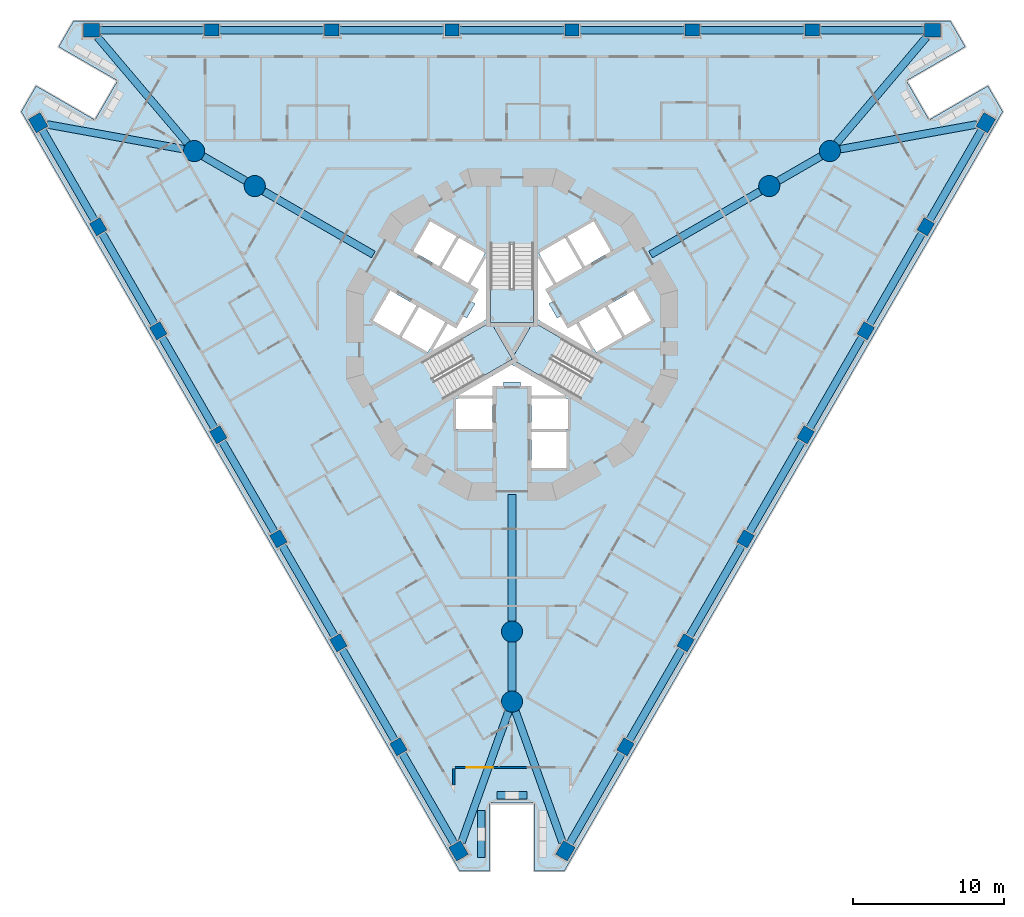
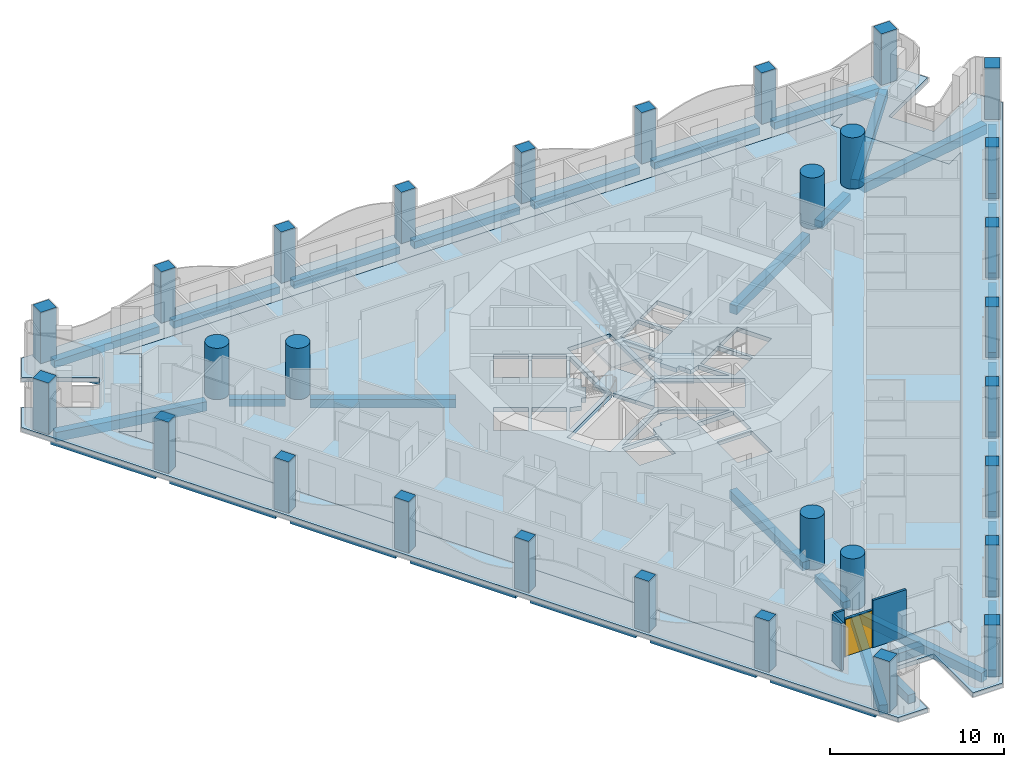
# One storey, part 1 of 20: 33 beams, 30 columns, 6 slabs, 6 walls, 1 door, 1 opening, 3 elements without a shape of their own.
"""IFC4 building model written with IfcOpenShell, lengths in metres."""

from ifc_helpers import new_model, si_unit, direction, frame, frame_2d, origin, origin_2d, place, context, subcontext, project, spatial, polyline, rectangle, circle, outline, extrude, material, layer, layer_set, material_profile, profile_set, type_object, element, fill, aggregate, save


model = new_model("IFC4")

# Units and contexts
model_context = context("Model", 3, precision=1e-05, world=origin(), true_north=direction((0.0, 1.0)))
body_context = subcontext(model_context, "Body", "Model", "MODEL_VIEW")
ifc_project = project(units=[si_unit("LENGTHUNIT", "METRE"), si_unit("AREAUNIT", "SQUARE_METRE"), si_unit("VOLUMEUNIT", "CUBIC_METRE"), si_unit("PLANEANGLEUNIT", "RADIAN"), si_unit("MASSUNIT", "GRAM", prefix="KILO")], contexts=[model_context])

# Site, building, storey
site_placement = place(None, origin())
site = spatial("IfcSite", under=ifc_project, at=site_placement, CompositionType="ELEMENT")
building_placement = place(site_placement, origin())
building = spatial("IfcBuilding", under=site, at=building_placement, Name="Trine Commons Tower", CompositionType="ELEMENT")
storey_placement = place(building_placement, frame((0.0, 0.0, 38.699951171875)))
storey = spatial("IfcBuildingStorey", under=building, at=storey_placement, Name="L08", CompositionType="ELEMENT", Elevation=38.699951171875)

# Columns
ifc_material_1 = material(Name="Concrete C80/95", Category="concrete")
ifc_material_profile_1 = material_profile(ifc_material_1, rectangle(XDim=1.050048828125, YDim=0.89990234375, at=origin_2d()), Name="RC 1050x900")
ifc_profile_set_1 = profile_set([ifc_material_profile_1], Name="Concrete C80/95")
column_type_1 = type_object("IfcColumnType", Name="RC column 1050x900, C80/95", PredefinedType="COLUMN", material=ifc_profile_set_1)
for number, where, z_axis, x_axis, name in (
    (1, (76.45556640625, 28.27001953125, 0.0), (0.0, 0.0, 1.0), (-0.5, 0.866025403784, 0.0), "Column PC1-01 L08"),
    (2, (48.583740234375, 76.54541015625, 0.0), (0.0, 0.0, 1.0), (-0.5, 0.866025403784, 0.0), "Column PC1-08 L08"),
    (3, (52.128173828125, 82.6845703125, 0.0), (0.0, 0.0, 1.0), (1.0, 0.0, 0.0), "Column PC1-09 L08"),
    (4, (107.871826171875, 82.6845703125, 0.0), (0.0, 0.0, 1.0), (1.0, 0.0, 0.0), "Column PC1-16 L08"),
    (5, (111.416259765625, 76.54541015625, 0.0), (0.0, 0.0, 1.0), (0.5, 0.866025403784, 0.0), "Column PC1-17 L08"),
    (6, (83.54443359375, 28.27001953125, 0.0), (0.0, 0.0, 1.0), (0.5, 0.866025403784, 0.0), "Column PC1-24 L08"),
):
    element("IfcColumn", number, at=place(storey_placement, frame(where, z_axis=z_axis, x_axis=x_axis)), inside=storey, type_object=column_type_1, Name=name, PredefinedType="COLUMN", context=body_context, shape_type="SweptSolid", body=[
        extrude(rectangle(XDim=1.050048828125, YDim=0.89990234375, at=origin_2d()), origin(), (0.0, 0.0, 1.0), 3.60009765625),
    ])
ifc_material_profile_2 = material_profile(ifc_material_1, rectangle(XDim=0.949951171875, YDim=0.800048828125, at=origin_2d()), Name="RC 950x800")
ifc_profile_set_2 = profile_set([ifc_material_profile_2], Name="Concrete C80/95")
column_type_2 = type_object("IfcColumnType", Name="RC column 950x800, C80/95", PredefinedType="COLUMN", material=ifc_profile_set_2)
for number, where, z_axis, x_axis, name in (
    (7, (72.473876953125, 35.16650390625, 0.0), (0.0, 0.0, 1.0), (-0.5, 0.866025403784, 0.0), "Column PC1-02 L08"),
    (8, (68.4921875, 42.06298828125, 0.0), (0.0, 0.0, 1.0), (-0.5, 0.866025403784, 0.0), "Column PC1-03 L08"),
    (9, (64.510498046875, 48.95947265625, 0.0), (0.0, 0.0, 1.0), (-0.5, 0.866025403784, 0.0), "Column PC1-04 L08"),
    (10, (60.52880859375, 55.85595703125, 0.0), (0.0, 0.0, 1.0), (-0.5, 0.866025403784, 0.0), "Column PC1-05 L08"),
    (11, (56.547119140625, 62.75244140625, 0.0), (0.0, 0.0, 1.0), (-0.5, 0.866025403784, 0.0), "Column PC1-06 L08"),
    (12, (52.5654296875, 69.64892578125, 0.0), (0.0, 0.0, 1.0), (-0.5, 0.866025403784, 0.0), "Column PC1-07 L08"),
    (13, (60.091552734375, 82.6845703125, 0.0), (0.0, 0.0, 1.0), (1.0, 0.0, 0.0), "Column PC1-10 L08"),
    (14, (68.054931640625, 82.6845703125, 0.0), (0.0, 0.0, 1.0), (1.0, 0.0, 0.0), "Column PC1-11 L08"),
    (15, (76.018310546875, 82.6845703125, 0.0), (0.0, 0.0, 1.0), (1.0, 0.0, 0.0), "Column PC1-12 L08"),
    (16, (83.981689453125, 82.6845703125, 0.0), (0.0, 0.0, 1.0), (1.0, 0.0, 0.0), "Column PC1-13 L08"),
    (17, (91.945068359375, 82.6845703125, 0.0), (0.0, 0.0, 1.0), (1.0, 0.0, 0.0), "Column PC1-14 L08"),
    (18, (99.908447265625, 82.6845703125, 0.0), (0.0, 0.0, 1.0), (1.0, 0.0, 0.0), "Column PC1-15 L08"),
    (19, (107.4345703125, 69.64892578125, 0.0), (0.0, 0.0, 1.0), (0.5, 0.866025403784, 0.0), "Column PC1-18 L08"),
    (20, (103.452880859375, 62.75244140625, 0.0), (0.0, 0.0, 1.0), (0.5, 0.866025403784, 0.0), "Column PC1-19 L08"),
    (21, (99.47119140625, 55.85595703125, 0.0), (0.0, 0.0, 1.0), (0.5, 0.866025403784, 0.0), "Column PC1-20 L08"),
    (22, (95.489501953125, 48.95947265625, 0.0), (0.0, 0.0, 1.0), (0.5, 0.866025403784, 0.0), "Column PC1-21 L08"),
    (23, (91.5078125, 42.06298828125, 0.0), (0.0, 0.0, 1.0), (0.5, 0.866025403784, 0.0), "Column PC1-22 L08"),
    (24, (87.526123046875, 35.16650390625, 0.0), (0.0, 0.0, 1.0), (0.5, 0.866025403784, 0.0), "Column PC1-23 L08"),
):
    element("IfcColumn", number, at=place(storey_placement, frame(where, z_axis=z_axis, x_axis=x_axis)), inside=storey, type_object=column_type_2, Name=name, PredefinedType="COLUMN", context=body_context, shape_type="SweptSolid", body=[
        extrude(rectangle(XDim=0.949951171875, YDim=0.800048828125, at=origin_2d()), origin(), (0.0, 0.0, 1.0), 3.60009765625),
    ])
ifc_material_profile_3 = material_profile(ifc_material_1, circle(Radius=0.699951171875, at=origin_2d()), Name="RC round 1400")
ifc_profile_set_3 = profile_set([ifc_material_profile_3], Name="Concrete C80/95")
column_type_3 = type_object("IfcColumnType", Name="RC round column 1400 mm, C80/95", PredefinedType="COLUMN", material=ifc_profile_set_3)
for number, where, z_axis, x_axis, name in (
    (25, (80.0, 42.802978515625, 0.0), (0.0, 0.0, 1.0), (1.0, 0.0, 0.0), "Column WC1-1 L08"),
    (26, (80.0, 38.162109375, 0.0), (0.0, 0.0, 1.0), (1.0, 0.0, 0.0), "Column WC1-2 L08"),
    (27, (97.05810546875, 72.348388671875, 0.0), (0.0, 0.0, 1.0), (1.0, 0.0, 0.0), "Column WC1-3 L08"),
    (28, (101.0771484375, 74.6689453125, 0.0), (0.0, 0.0, 1.0), (1.0, 0.0, 0.0), "Column WC1-4 L08"),
    (29, (62.94189453125, 72.348388671875, 0.0), (0.0, 0.0, 1.0), (1.0, 0.0, 0.0), "Column WC1-5 L08"),
    (30, (58.9228515625, 74.6689453125, 0.0), (0.0, 0.0, 1.0), (1.0, 0.0, 0.0), "Column WC1-6 L08"),
):
    element("IfcColumn", number, at=place(storey_placement, frame(where, z_axis=z_axis, x_axis=x_axis)), inside=storey, type_object=column_type_3, Name=name, PredefinedType="COLUMN", context=body_context, shape_type="SweptSolid", body=[
        extrude(circle(Radius=0.699951171875, at=origin_2d()), origin(), (0.0, 0.0, 1.0), 3.60009765625),
    ])

# Beams
ifc_material_2 = material(Name="Concrete C50/60", Category="concrete")
ifc_material_profile_4 = material_profile(ifc_material_2, rectangle(XDim=0.5, YDim=0.5, at=origin_2d()), Name="RC 500x500")
ifc_profile_set_4 = profile_set([ifc_material_profile_4], Name="Concrete C50/60")
beam_type_1 = type_object("IfcBeamType", Name="RC beam 500x500, C50/60", PredefinedType="BEAM", material=ifc_profile_set_4)
beam_1_placement = place(storey_placement, frame((76.193115234375, 28.724609375, -0.550048828125), z_axis=(-0.500022902661, 0.866012180523, 0.0), x_axis=(-0.866012180523, -0.500022902661, 0.0)))
element("IfcBeam", 31, at=beam_1_placement, inside=storey, type_object=beam_type_1, Name="Beam EB1-01 L08", PredefinedType="BEAM", context=body_context, shape_type="SweptSolid", body=[
    extrude(rectangle(XDim=0.5, YDim=0.5, at=origin_2d()), origin(), (0.0, 0.0, 1.0), 6.963623046875),
])
beam_2_placement = place(storey_placement, frame((72.236328125, 35.577880859375, -0.550048828125), z_axis=(-0.500017753321, 0.866015153657, 0.0), x_axis=(-0.866015153657, -0.500017753321, 0.0)))
element("IfcBeam", 32, at=beam_2_placement, inside=storey, type_object=beam_type_1, Name="Beam EB1-02 L08", PredefinedType="BEAM", context=body_context, shape_type="SweptSolid", body=[
    extrude(rectangle(XDim=0.5, YDim=0.5, at=origin_2d()), origin(), (0.0, 0.0, 1.0), 7.013427734375),
])
for number, where, z_axis, x_axis, name in (
    (33, (68.254638671875, 42.474365234375, -0.550048828125), (-0.499991645397, 0.866030227263, 0.0), (-0.866030227263, -0.499991645397, 0.0), "Beam EB1-03 L08"),
    (34, (64.27294921875, 49.370849609375, -0.550048828125), (-0.499991645397, 0.866030227263, 0.0), (-0.866030227263, -0.499991645397, 0.0), "Beam EB1-04 L08"),
    (35, (60.291259765625, 56.267333984375, -0.550048828125), (-0.499991645397, 0.866030227263, 0.0), (-0.866030227263, -0.499991645397, 0.0), "Beam EB1-05 L08"),
    (36, (56.3095703125, 63.163818359375, -0.550048828125), (-0.499991645397, 0.866030227263, 0.0), (-0.866030227263, -0.499991645397, 0.0), "Beam EB1-06 L08"),
):
    element("IfcBeam", number, at=place(storey_placement, frame(where, z_axis=z_axis, x_axis=x_axis)), inside=storey, type_object=beam_type_1, Name=name, PredefinedType="BEAM", context=body_context, shape_type="SweptSolid", body=[
        extrude(rectangle(XDim=0.5, YDim=0.5, at=origin_2d()), origin(), (0.0, 0.0, 1.0), 7.01318359375),
    ])
for number, where, z_axis, x_axis, name in (
    (37, (52.327880859375, 70.060302734375, -0.550048828125), (-0.49999660792, 0.866027362194, 0.0), (-0.866027362194, -0.49999660792, 0.0), "Beam EB1-07 L08"),
    (38, (52.6533203125, 82.6845703125, -0.550048828125), (1.0, 0.0, 0.0), (0.0, 1.0, 0.0), "Beam EB1-08 L08"),
):
    element("IfcBeam", number, at=place(storey_placement, frame(where, z_axis=z_axis, x_axis=x_axis)), inside=storey, type_object=beam_type_1, Name=name, PredefinedType="BEAM", context=body_context, shape_type="SweptSolid", body=[
        extrude(rectangle(XDim=0.5, YDim=0.5, at=origin_2d()), origin(), (0.0, 0.0, 1.0), 6.96337890625),
    ])
beam_3_placement = place(storey_placement, frame((60.566650390625, 82.6845703125, -0.550048828125), z_axis=(1.0, 0.0, 0.0), x_axis=(0.0, 1.0, 0.0)))
element("IfcBeam", 39, at=beam_3_placement, inside=storey, type_object=beam_type_1, Name="Beam EB1-09 L08", PredefinedType="BEAM", context=body_context, shape_type="SweptSolid", body=[
    extrude(rectangle(XDim=0.5, YDim=0.5, at=origin_2d()), origin(), (0.0, 0.0, 1.0), 7.01318359375),
])
beam_4_placement = place(storey_placement, frame((68.52978515625, 82.6845703125, -0.550048828125), z_axis=(1.0, 0.0, 0.0), x_axis=(0.0, 1.0, 0.0)))
element("IfcBeam", 40, at=beam_4_placement, inside=storey, type_object=beam_type_1, Name="Beam EB1-10 L08", PredefinedType="BEAM", context=body_context, shape_type="SweptSolid", body=[
    extrude(rectangle(XDim=0.5, YDim=0.5, at=origin_2d()), origin(), (0.0, 0.0, 1.0), 7.013427734375),
])
beam_5_placement = place(storey_placement, frame((76.493408203125, 82.6845703125, -0.550048828125), z_axis=(1.0, 0.0, 0.0), x_axis=(0.0, 1.0, 0.0)))
element("IfcBeam", 41, at=beam_5_placement, inside=storey, type_object=beam_type_1, Name="Beam EB1-11 L08", PredefinedType="BEAM", context=body_context, shape_type="SweptSolid", body=[
    extrude(rectangle(XDim=0.5, YDim=0.5, at=origin_2d()), origin(), (0.0, 0.0, 1.0), 7.01318359375),
])
beam_6_placement = place(storey_placement, frame((84.456787109375, 82.6845703125, -0.550048828125), z_axis=(1.0, 0.0, 0.0), x_axis=(0.0, 1.0, 0.0)))
element("IfcBeam", 42, at=beam_6_placement, inside=storey, type_object=beam_type_1, Name="Beam EB1-12 L08", PredefinedType="BEAM", context=body_context, shape_type="SweptSolid", body=[
    extrude(rectangle(XDim=0.5, YDim=0.5, at=origin_2d()), origin(), (0.0, 0.0, 1.0), 7.013427734375),
])
beam_7_placement = place(storey_placement, frame((92.420166015625, 82.6845703125, -0.550048828125), z_axis=(1.0, 0.0, 0.0), x_axis=(0.0, 1.0, 0.0)))
element("IfcBeam", 43, at=beam_7_placement, inside=storey, type_object=beam_type_1, Name="Beam EB1-13 L08", PredefinedType="BEAM", context=body_context, shape_type="SweptSolid", body=[
    extrude(rectangle(XDim=0.5, YDim=0.5, at=origin_2d()), origin(), (0.0, 0.0, 1.0), 7.01318359375),
])
for number, where, z_axis, x_axis, name in (
    (44, (100.38330078125, 82.6845703125, -0.550048828125), (1.0, 0.0, 0.0), (0.0, 1.0, 0.0), "Beam EB1-14 L08"),
    (45, (111.15380859375, 76.0908203125, -0.550048828125), (-0.49999660792, -0.866027362194, 0.0), (0.866027362194, -0.49999660792, 0.0), "Beam EB1-15 L08"),
):
    element("IfcBeam", number, at=place(storey_placement, frame(where, z_axis=z_axis, x_axis=x_axis)), inside=storey, type_object=beam_type_1, Name=name, PredefinedType="BEAM", context=body_context, shape_type="SweptSolid", body=[
        extrude(rectangle(XDim=0.5, YDim=0.5, at=origin_2d()), origin(), (0.0, 0.0, 1.0), 6.96337890625),
    ])
for number, where, z_axis, x_axis, name in (
    (46, (107.197021484375, 69.237548828125, -0.550048828125), (-0.499991645397, -0.866030227263, 0.0), (0.866030227263, -0.499991645397, 0.0), "Beam EB1-16 L08"),
    (47, (103.21533203125, 62.341064453125, -0.550048828125), (-0.499991645397, -0.866030227263, 0.0), (0.866030227263, -0.499991645397, 0.0), "Beam EB1-17 L08"),
    (48, (99.233642578125, 55.444580078125, -0.550048828125), (-0.499991645397, -0.866030227263, 0.0), (0.866030227263, -0.499991645397, 0.0), "Beam EB1-18 L08"),
    (49, (95.251953125, 48.548095703125, -0.550048828125), (-0.499991645397, -0.866030227263, 0.0), (0.866030227263, -0.499991645397, 0.0), "Beam EB1-19 L08"),
):
    element("IfcBeam", number, at=place(storey_placement, frame(where, z_axis=z_axis, x_axis=x_axis)), inside=storey, type_object=beam_type_1, Name=name, PredefinedType="BEAM", context=body_context, shape_type="SweptSolid", body=[
        extrude(rectangle(XDim=0.5, YDim=0.5, at=origin_2d()), origin(), (0.0, 0.0, 1.0), 7.01318359375),
    ])
beam_8_placement = place(storey_placement, frame((91.2705078125, 41.651611328125, -0.550048828125), z_axis=(-0.500017753321, -0.866015153657, 0.0), x_axis=(0.866015153657, -0.500017753321, 0.0)))
element("IfcBeam", 50, at=beam_8_placement, inside=storey, type_object=beam_type_1, Name="Beam EB1-20 L08", PredefinedType="BEAM", context=body_context, shape_type="SweptSolid", body=[
    extrude(rectangle(XDim=0.5, YDim=0.5, at=origin_2d()), origin(), (0.0, 0.0, 1.0), 7.013427734375),
])
beam_9_placement = place(storey_placement, frame((87.288818359375, 34.755126953125, -0.550048828125), z_axis=(-0.500022902661, -0.866012180523, 0.0), x_axis=(0.866012180523, -0.500022902661, 0.0)))
element("IfcBeam", 51, at=beam_9_placement, inside=storey, type_object=beam_type_1, Name="Beam EB1-21 L08", PredefinedType="BEAM", context=body_context, shape_type="SweptSolid", body=[
    extrude(rectangle(XDim=0.5, YDim=0.5, at=origin_2d()), origin(), (0.0, 0.0, 1.0), 6.963623046875),
])
beam_10_placement = place(storey_placement, frame((80.0, 42.102783203125, -0.550048828125), z_axis=(0.0, -1.0, 0.0), x_axis=(1.0, 0.0, 0.0)))
element("IfcBeam", 52, at=beam_10_placement, inside=storey, type_object=beam_type_1, Name="Beam RB1-02 L08", PredefinedType="BEAM", context=body_context, shape_type="SweptSolid", body=[
    extrude(rectangle(XDim=0.5, YDim=0.5, at=origin_2d()), origin(), (0.0, 0.0, 1.0), 3.240478515625),
])
for number, where, z_axis, x_axis, name in (
    (53, (97.663818359375, 72.697998046875, -0.550048828125), (0.865996235589, 0.500050517394, 0.0), (-0.500050517394, 0.865996235589, 0.0), "Beam RB1-04 L08"),
    (54, (62.336181640625, 72.697998046875, -0.550048828125), (-0.865996235589, 0.500050517394, 0.0), (-0.500050517394, -0.865996235589, 0.0), "Beam RB1-06 L08"),
):
    element("IfcBeam", number, at=place(storey_placement, frame(where, z_axis=z_axis, x_axis=x_axis)), inside=storey, type_object=beam_type_1, Name=name, PredefinedType="BEAM", context=body_context, shape_type="SweptSolid", body=[
        extrude(rectangle(XDim=0.5, YDim=0.5, at=origin_2d()), origin(), (0.0, 0.0, 1.0), 3.242431640625),
    ])
ifc_material_profile_5 = material_profile(ifc_material_2, rectangle(XDim=0.5, YDim=0.60009765625, at=origin_2d()), Name="RC 500x600")
ifc_profile_set_5 = profile_set([ifc_material_profile_5], Name="Concrete C50/60")
beam_type_2 = type_object("IfcBeamType", Name="RC beam 500x600, C50/60", PredefinedType="BEAM", material=ifc_profile_set_5)
beam_11_placement = place(storey_placement, frame((80.0, 51.888427734375, -0.599853515625), z_axis=(0.0, -1.0, 0.0), x_axis=(1.0, 0.0, 0.0)))
element("IfcBeam", 55, at=beam_11_placement, inside=storey, type_object=beam_type_2, Name="Beam RB1-01 L08", PredefinedType="BEAM", context=body_context, shape_type="SweptSolid", body=[
    extrude(rectangle(XDim=0.5, YDim=0.60009765625, at=origin_2d()), origin(), (0.0, 0.0, 1.0), 8.385498046875),
])
for number, where, z_axis, x_axis, name in (
    (56, (89.18994140625, 67.805908203125, -0.599853515625), (0.866038208851, 0.499977820318, 0.0), (-0.499977820318, 0.866038208851, 0.0), "Beam RB1-03 L08"),
    (57, (70.81005859375, 67.805908203125, -0.599853515625), (-0.866038208851, 0.499977820318, 0.0), (-0.499977820318, -0.866038208851, 0.0), "Beam RB1-05 L08"),
):
    element("IfcBeam", number, at=place(storey_placement, frame(where, z_axis=z_axis, x_axis=x_axis)), inside=storey, type_object=beam_type_2, Name=name, PredefinedType="BEAM", context=body_context, shape_type="SweptSolid", body=[
        extrude(rectangle(XDim=0.5, YDim=0.60009765625, at=origin_2d()), origin(), (0.0, 0.0, 1.0), 8.38623046875),
    ])
ifc_material_profile_6 = material_profile(ifc_material_2, rectangle(XDim=0.5, YDim=0.64990234375, at=origin_2d()), Name="RC 500x650")
ifc_profile_set_6 = profile_set([ifc_material_profile_6], Name="Concrete C50/60")
beam_type_3 = type_object("IfcBeamType", Name="RC beam 500x650, C50/60", PredefinedType="BEAM", material=ifc_profile_set_6)
for number, where, z_axis, x_axis, name in (
    (58, (49.1640625, 76.440185546875, -0.625), (0.983921563764, -0.178601109628, 0.0), (0.178601109628, 0.983921563764, 0.0), "Beam CB1-01 L08"),
    (59, (52.509521484375, 82.234619140625, -0.625), (0.646611559024, -0.762819435867, 0.0), (0.762819435867, 0.646611559024, 0.0), "Beam CB1-02 L08"),
    (60, (107.490478515625, 82.234619140625, -0.625), (-0.646611559024, -0.762819435867, 0.0), (0.762819435867, -0.646611559024, 0.0), "Beam CB1-03 L08"),
    (61, (110.8359375, 76.440185546875, -0.625), (-0.983921563764, -0.178601109628, 0.0), (0.178601109628, -0.983921563764, 0.0), "Beam CB1-04 L08"),
):
    element("IfcBeam", number, at=place(storey_placement, frame(where, z_axis=z_axis, x_axis=x_axis)), inside=storey, type_object=beam_type_3, Name=name, PredefinedType="BEAM", context=body_context, shape_type="SweptSolid", body=[
        extrude(rectangle(XDim=0.5, YDim=0.64990234375, at=origin_2d()), origin(), (0.0, 0.0, 1.0), 9.21875),
    ])
for number, where, z_axis, x_axis, name in (
    (62, (83.345458984375, 28.8251953125, -0.625), (-0.337305880684, 0.941395104542, 0.0), (-0.941395104542, -0.337305880684, 0.0), "Beam CB1-05 L08"),
    (63, (76.654541015625, 28.8251953125, -0.625), (0.337305880684, 0.941395104542, 0.0), (-0.941395104542, 0.337305880684, 0.0), "Beam CB1-06 L08"),
):
    element("IfcBeam", number, at=place(storey_placement, frame(where, z_axis=z_axis, x_axis=x_axis)), inside=storey, type_object=beam_type_3, Name=name, PredefinedType="BEAM", context=body_context, shape_type="SweptSolid", body=[
        extrude(rectangle(XDim=0.5, YDim=0.64990234375, at=origin_2d()), origin(), (0.0, 0.0, 1.0), 9.218994140625),
    ])

# Slabs
ifc_layer_1 = layer(ifc_material_2, 0.300048828125)
ifc_layer_set_1 = layer_set([ifc_layer_1], Name="Concrete C50/60")
slab_type_1 = type_object("IfcSlabType", Name="Loggia slab 300 mm, C50/60", PredefinedType="FLOOR", material=ifc_layer_set_1)
slab_1_placement = place(storey_placement, frame((0.0, 0.0, -0.300048828125)))
element("IfcSlab", 64, at=slab_1_placement, inside=storey, type_object=slab_type_1, Name="Loggia slab L08", PredefinedType="FLOOR", context=body_context, shape_type="SweptSolid", body=[
    extrude(outline(polyline([(83.464111328125, 26.930908203125), (112.535888671875, 77.28466796875), (111.5537109375, 78.985595703125), (107.65673828125, 76.735595703125), (106.15673828125, 79.33349609375), (110.0537109375, 81.58349609375), (109.07177734375, 83.28466796875), (50.92822265625, 83.28466796875), (49.9462890625, 81.58349609375), (53.84326171875, 79.33349609375), (52.34326171875, 76.735595703125), (48.4462890625, 78.985595703125), (47.464111328125, 77.28466796875), (76.535888671875, 26.930908203125), (78.5, 26.930908203125), (78.5, 31.430908203125), (81.5, 31.430908203125), (81.5, 26.930908203125), (83.464111328125, 26.930908203125)]), holes=[polyline([(76.10009765625, 32.48583984375), (76.10009765625, 33.830810546875), (83.89990234375, 33.830810546875), (83.89990234375, 32.48583984375), (107.943115234375, 74.129638671875), (106.7783203125, 73.45703125), (102.87841796875, 80.212158203125), (104.043212890625, 80.884521484375), (55.956787109375, 80.884521484375), (57.12158203125, 80.212158203125), (53.2216796875, 73.45703125), (52.056884765625, 74.129638671875), (76.10009765625, 32.48583984375)])]), origin(), (0.0, 0.0, 1.0), 0.300048828125),
])
ifc_layer_2 = layer(ifc_material_2, 0.300048828125)
ifc_layer_set_2 = layer_set([ifc_layer_2], Name="Concrete C50/60")
slab_type_2 = type_object("IfcSlabType", Name="PT flat slab 300 mm, C50/60", PredefinedType="FLOOR", material=ifc_layer_set_2)
slab_2_placement = place(storey_placement, frame((0.0, 0.0, -0.300048828125)))
element("IfcSlab", 65, at=slab_2_placement, inside=storey, type_object=slab_type_2, Name="Floor slab L08", PredefinedType="FLOOR", context=body_context, shape_type="SweptSolid", body=[
    extrude(outline(polyline([(52.056884765625, 74.129638671875), (76.10009765625, 32.48583984375), (76.10009765625, 33.830810546875), (83.89990234375, 33.830810546875), (83.89990234375, 32.48583984375), (107.943115234375, 74.129638671875), (106.7783203125, 73.45703125), (102.87841796875, 80.212158203125), (104.043212890625, 80.884521484375), (55.956787109375, 80.884521484375), (57.12158203125, 80.212158203125), (53.2216796875, 73.45703125), (52.056884765625, 74.129638671875)]), holes=[polyline([(76.300048828125, 56.25), (78.699951171875, 56.25), (78.699951171875, 58.25), (76.300048828125, 58.25), (76.300048828125, 56.25)]), polyline([(81.14990234375, 59.10009765625), (81.300048828125, 58.449951171875), (83.56494140625, 58.449951171875), (80.0, 60.508056640625), (76.43505859375, 58.449951171875), (78.699951171875, 58.449951171875), (78.85009765625, 59.10009765625), (79.449951171875, 59.10009765625), (79.449951171875, 59.360107421875), (80.550048828125, 59.360107421875), (80.550048828125, 59.10009765625), (81.14990234375, 59.10009765625)]), polyline([(80.0, 60.8544921875), (84.4755859375, 58.2705078125), (85.900390625, 60.73876953125), (81.425048828125, 63.32275390625), (81.425048828125, 68.490478515625), (78.574951171875, 68.490478515625), (78.574951171875, 63.32275390625), (74.099609375, 60.73876953125), (75.5244140625, 58.2705078125), (80.0, 60.8544921875)]), polyline([(73.83740234375, 64.325927734375), (72.687255859375, 62.333984375), (74.41943359375, 61.333984375), (75.5693359375, 63.325927734375), (73.83740234375, 64.325927734375)]), polyline([(71.93212890625, 65.426025390625), (70.781982421875, 63.43408203125), (72.51416015625, 62.43408203125), (73.6640625, 64.426025390625), (71.93212890625, 65.426025390625)]), polyline([(76.781005859375, 63.722900390625), (76.381103515625, 63.031005859375), (75.742919921875, 63.22607421875), (74.7099609375, 61.43798828125), (78.27490234375, 63.49609375), (78.27490234375, 67.612060546875), (77.242919921875, 65.823974609375), (77.73095703125, 65.368896484375), (77.3310546875, 64.676025390625), (77.555908203125, 64.5458984375), (77.006103515625, 63.593994140625), (76.781005859375, 63.722900390625)]), polyline([(76.4873046875, 68.916015625), (75.33740234375, 66.924072265625), (77.0693359375, 65.924072265625), (78.219482421875, 67.916015625), (76.4873046875, 68.916015625)]), polyline([(74.58203125, 70.015869140625), (73.43212890625, 68.02392578125), (75.1640625, 67.02392578125), (76.314208984375, 69.015869140625), (74.58203125, 70.015869140625)]), polyline([(81.300048828125, 53.64990234375), (83.60009765625, 53.64990234375), (83.60009765625, 56.050048828125), (81.300048828125, 56.050048828125), (81.300048828125, 53.64990234375)]), polyline([(81.300048828125, 56.25), (83.699951171875, 56.25), (83.699951171875, 58.25), (81.300048828125, 58.25), (81.300048828125, 56.25)]), polyline([(87.312744140625, 62.333984375), (86.16259765625, 64.325927734375), (84.4306640625, 63.325927734375), (85.58056640625, 61.333984375), (87.312744140625, 62.333984375)]), polyline([(89.218017578125, 63.43408203125), (88.06787109375, 65.426025390625), (86.3359375, 64.426025390625), (87.48583984375, 62.43408203125), (89.218017578125, 63.43408203125)]), polyline([(83.243896484375, 63.738037109375), (82.993896484375, 63.593994140625), (82.444091796875, 64.5458984375), (82.72705078125, 64.7099609375), (82.281005859375, 65.549072265625), (82.757080078125, 65.823974609375), (81.72509765625, 67.612060546875), (81.72509765625, 63.49609375), (85.2900390625, 61.43798828125), (84.257080078125, 63.22607421875), (83.618896484375, 63.031005859375), (83.243896484375, 63.738037109375)]), polyline([(82.9306640625, 65.924072265625), (84.66259765625, 66.924072265625), (83.5126953125, 68.916015625), (81.780517578125, 67.916015625), (82.9306640625, 65.924072265625)]), polyline([(84.8359375, 67.02392578125), (86.56787109375, 68.02392578125), (85.41796875, 70.015869140625), (83.685791015625, 69.015869140625), (84.8359375, 67.02392578125)])]), origin(), (0.0, 0.0, 1.0), 0.300048828125),
])
slab_3_placement = place(storey_placement, frame((0.0, 0.0, -0.300048828125)))
element("IfcSlab", 66, at=slab_3_placement, inside=storey, type_object=slab_type_2, Name="Floor slab L08 2", PredefinedType="FLOOR", context=body_context, shape_type="SweptSolid", body=[
    extrude(outline(polyline([(78.61328125, 63.300537109375), (80.0, 60.89892578125), (81.38671875, 63.300537109375), (78.61328125, 63.300537109375)])), origin(), (0.0, 0.0, 1.0), 0.300048828125),
])

# Stair, slab
stair_type = type_object("IfcStairType", Name="Exit stair, dog-leg, 24 risers of 150 mm", PredefinedType="HALF_TURN_STAIR", material=ifc_material_2)
stair_1_placement = place(storey_placement, origin())
stair_1 = element("IfcStair", 67, at=stair_1_placement, inside=storey, type_object=stair_type, Name="L08 Exit stair ST1A", PredefinedType="HALF_TURN_STAIR")
ifc_layer_3 = layer(ifc_material_2, 0.199951171875)
ifc_layer_set_3 = layer_set([ifc_layer_3], Name="Concrete C50/60")
slab_type_3 = type_object("IfcSlabType", Name="Stair landing slab 200 mm, C50/60", PredefinedType="LANDING", material=ifc_layer_set_3)
slab_4_placement = place(storey_placement, frame((0.0, 0.0, 1.60009765625)))
slab_4 = element("IfcSlab", 68, at=slab_4_placement, type_object=slab_type_3, Name="ST1A landing 1", PredefinedType="LANDING", context=body_context, shape_type="SweptSolid", body=[
    extrude(outline(polyline([(78.574951171875, 65.570556640625), (78.574951171875, 63.300537109375), (81.425048828125, 63.300537109375), (81.425048828125, 65.570556640625), (78.574951171875, 65.570556640625)])), origin(), (0.0, 0.0, 1.0), 0.199951171875),
])
aggregate(stair_1, [slab_4])

stair_2_placement = place(storey_placement, origin())
stair_2 = element("IfcStair", 69, at=stair_2_placement, inside=storey, type_object=stair_type, Name="L08 Exit stair ST2A", PredefinedType="HALF_TURN_STAIR")
slab_5_placement = place(storey_placement, frame((0.0, 0.0, 1.60009765625)))
slab_5 = element("IfcSlab", 70, at=slab_5_placement, type_object=slab_type_3, Name="ST2A landing 1", PredefinedType="LANDING", context=body_context, shape_type="SweptSolid", body=[
    extrude(outline(polyline([(78.05322265625, 59.730712890625), (80.019287109375, 60.86572265625), (78.59423828125, 63.333740234375), (76.628173828125, 62.19873046875), (78.05322265625, 59.730712890625)])), origin(), (0.0, 0.0, 1.0), 0.199951171875),
])
aggregate(stair_2, [slab_5])

stair_3_placement = place(storey_placement, origin())
stair_3 = element("IfcStair", 71, at=stair_3_placement, inside=storey, type_object=stair_type, Name="L08 Exit stair ST3A", PredefinedType="HALF_TURN_STAIR")
slab_6_placement = place(storey_placement, frame((0.0, 0.0, 1.60009765625)))
slab_6 = element("IfcSlab", 72, at=slab_6_placement, type_object=slab_type_3, Name="ST3A landing 1", PredefinedType="LANDING", context=body_context, shape_type="SweptSolid", body=[
    extrude(outline(polyline([(83.371826171875, 62.19873046875), (81.40576171875, 63.333740234375), (79.980712890625, 60.86572265625), (81.94677734375, 59.730712890625), (83.371826171875, 62.19873046875)])), origin(), (0.0, 0.0, 1.0), 0.199951171875),
])
aggregate(stair_3, [slab_6])

# Wall
ifc_material_3 = material(Name="Aluminium-framed insulated wall panel", Category="aluminium")
ifc_layer_4 = layer(ifc_material_3, 0.14990234375)
ifc_layer_set_4 = layer_set([ifc_layer_4], Name="Aluminium-framed insulated wall panel")
wall_type_1 = type_object("IfcWallType", Name="Glazed frame wall 150, EI 60", PredefinedType="SOLIDWALL", material=ifc_layer_set_4)
wall_1_placement = place(storey_placement, frame((81.0, 33.7958984375, 0.0), z_axis=(0.0, 0.0, 1.0), x_axis=(-1.0, 0.0, 0.0)))
element("IfcWall", 73, at=wall_1_placement, inside=storey, type_object=wall_type_1, Name="Glazed frame wall P3.3", PredefinedType="SOLIDWALL", context=body_context, shape_type="SweptSolid", body=[
    extrude(outline(polyline([(0.0, -0.074951171875), (2.199951171875, -0.074951171875), (2.199951171875, 0.074951171875), (0.0, 0.074951171875), (0.0, -0.074951171875)])), origin(), (0.0, 0.0, 1.0), 3.300048828125),
])

# Wall, opening, door
wall_2_placement = place(storey_placement, frame((78.800048828125, 33.7958984375, 0.0), z_axis=(0.0, 0.0, 1.0), x_axis=(-1.0, 0.0, 0.0)))
wall_2 = element("IfcWall", 74, at=wall_2_placement, inside=storey, type_object=wall_type_1, Name="Glazed frame wall P3.4", PredefinedType="SOLIDWALL", context=body_context, shape_type="SweptSolid", body=[
    extrude(outline(polyline([(0.0, -0.074951171875), (1.89990234375, -0.074951171875), (1.89990234375, 0.074951171875), (0.0, 0.074951171875), (0.0, -0.074951171875)])), origin(), (0.0, 0.0, 1.0), 2.650146484375),
])
opening_placement = place(wall_2_placement, frame((0.050048828125, 0.0, 0.0)))
opening = element("IfcOpeningElement", 75, at=opening_placement, cuts=wall_2, Name="Opening BD-1P3-02", PredefinedType="OPENING", context=body_context, shape_type="SweptSolid", body=[
    extrude(rectangle(XDim=1.800048828125, YDim=2.60009765625, at=frame_2d((0.89990234375, 1.300048828125))), frame((0.0, 0.0849609375, 0.0), z_axis=(0.0, -1.0, 0.0), x_axis=(1.0, 0.0, 0.0)), (0.0, 0.0, 1.0), 0.169921875),
])
ifc_material_4 = material(Name="Anodised aluminium frame with double glazing", Category="aluminium")
door_type = type_object("IfcDoorType", Name="Sliding loggia door 1800x2600", OperationType="SLIDING_TO_LEFT", PredefinedType="DOOR", material=ifc_material_4)
door_placement = place(opening_placement, origin())
door = element("IfcDoor", 76, at=door_placement, inside=storey, type_object=door_type, Name="Loggia door P3 2", OperationType="SLIDING_TO_LEFT", OverallHeight=2.60009765625, OverallWidth=1.800048828125, PredefinedType="DOOR", context=body_context, shape_type="SweptSolid", body=[
    extrude(rectangle(XDim=1.800048828125, YDim=2.60009765625, at=frame_2d((0.89990234375, 1.300048828125))), frame((0.0, 0.02490234375, 0.0), z_axis=(0.0, -1.0, 0.0), x_axis=(1.0, 0.0, 0.0)), (0.0, 0.0, 1.0), 0.050048828125),
])
fill(opening, door)

# Walls
wall_3_placement = place(storey_placement, frame((76.89990234375, 33.7958984375, 0.0), z_axis=(0.0, 0.0, 1.0), x_axis=(-1.0, 0.0, 0.0)))
element("IfcWall", 77, at=wall_3_placement, inside=storey, type_object=wall_type_1, Name="Glazed frame wall P3.5", PredefinedType="SOLIDWALL", context=body_context, shape_type="SweptSolid", body=[
    extrude(outline(polyline([(0.68994140625, 0.074951171875), (0.0, 0.074951171875), (0.0, -0.074951171875), (0.68994140625, -0.074951171875), (0.68994140625, 0.074951171875)])), origin(), (0.0, 0.0, 1.0), 3.300048828125),
])
wall_4_placement = place(storey_placement, frame((76.135009765625, 33.830810546875, 0.0), z_axis=(0.0, 0.0, 1.0), x_axis=(0.0, -1.0, 0.0)))
element("IfcWall", 78, at=wall_4_placement, inside=storey, type_object=wall_type_1, Name="Glazed frame wall R11", PredefinedType="SOLIDWALL", context=body_context, shape_type="SweptSolid", body=[
    extrude(outline(polyline([(0.110107421875, 0.074951171875), (0.110107421875, -0.074951171875), (1.19580078125, -0.074951171875), (1.19580078125, 0.074951171875), (0.110107421875, 0.074951171875)])), origin(), (0.0, 0.0, 1.0), 3.300048828125),
])
ifc_material_5 = material(Name="Planter trough, precast concrete C40/50", Category="concrete")
ifc_layer_5 = layer(ifc_material_5, 0.5)
ifc_layer_set_5 = layer_set([ifc_layer_5], Name="Planter trough, precast concrete C40/50")
wall_type_2 = type_object("IfcWallType", Name="Planter trough 500x600", PredefinedType="PARAPET", material=ifc_layer_set_5)
wall_5_placement = place(storey_placement, frame((81.0, 31.970703125, 0.0), z_axis=(0.0, 0.0, 1.0), x_axis=(-1.0, 0.0, 0.0)))
element("IfcWall", 79, at=wall_5_placement, inside=storey, type_object=wall_type_2, Name="Planter 8", PredefinedType="PARAPET", context=body_context, shape_type="SweptSolid", body=[
    extrude(rectangle(XDim=2.0, YDim=0.5, at=frame_2d((1.0, 0.0))), origin(), (0.0, 0.0, 1.0), 0.60009765625),
])
wall_6_placement = place(storey_placement, frame((77.9599609375, 30.930908203125, 0.0), z_axis=(0.0, 0.0, 1.0), x_axis=(0.0, -1.0, 0.0)))
element("IfcWall", 80, at=wall_6_placement, inside=storey, type_object=wall_type_2, Name="Planter 9", PredefinedType="PARAPET", context=body_context, shape_type="SweptSolid", body=[
    extrude(rectangle(XDim=3.10009765625, YDim=0.5, at=frame_2d((1.550048828125, 0.0))), origin(), (0.0, 0.0, 1.0), 0.60009765625),
])

save(model, "model.ifc")
